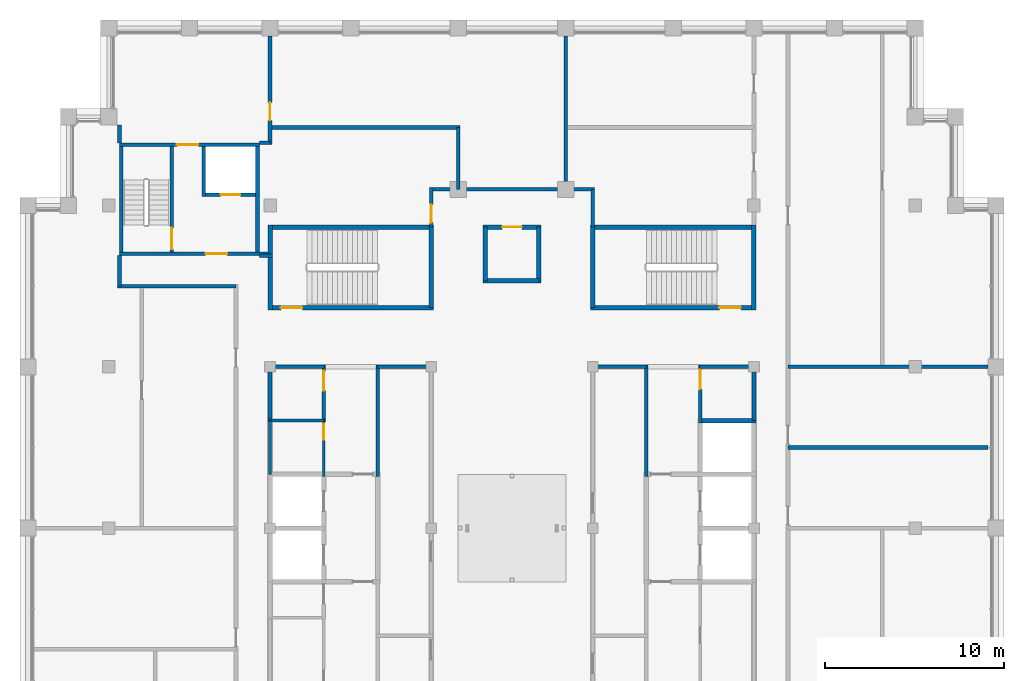
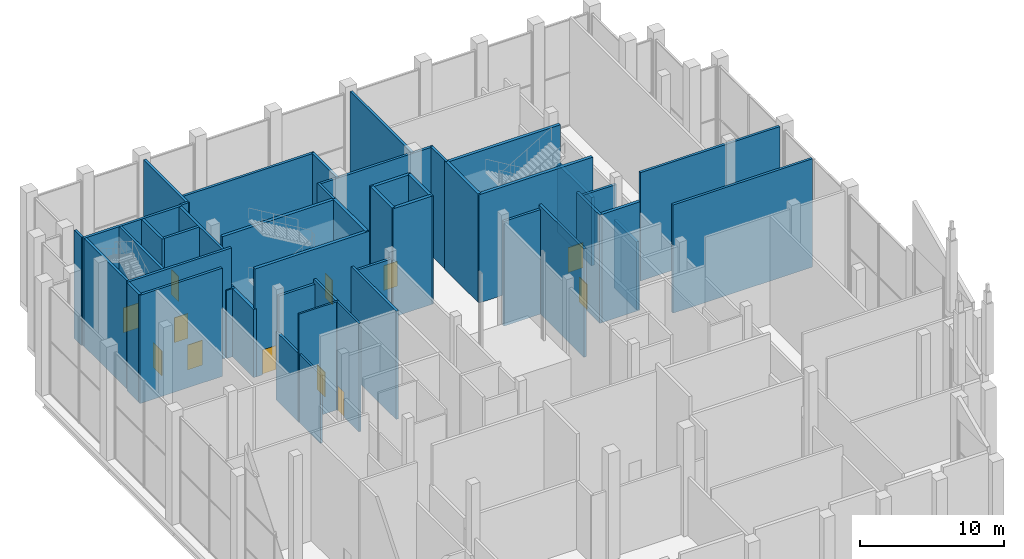
# One storey, part 14 of 16: 47 walls, 12 doors, 12 openings.
"""IFC4 building model written with IfcOpenShell, lengths in metres."""

from ifc_helpers import new_model, si_unit, direction, frame, frame_2d, origin, place, context, subcontext, project, spatial, rectangle, extrude, material, layer, layer_set, type_object, element, fill, save


model = new_model("IFC4")

# Units and contexts
model_context = context("Model", 3, precision=1e-05, world=origin(), true_north=direction((0.0, 1.0)))
body_context = subcontext(model_context, "Body", "Model", "MODEL_VIEW")
ifc_project = project(units=[si_unit("LENGTHUNIT", "METRE"), si_unit("AREAUNIT", "SQUARE_METRE"), si_unit("VOLUMEUNIT", "CUBIC_METRE"), si_unit("PLANEANGLEUNIT", "RADIAN"), si_unit("MASSUNIT", "GRAM", prefix="KILO")], contexts=[model_context])

# Site, building, storey
site_placement = place(None, origin())
site = spatial("IfcSite", under=ifc_project, at=site_placement, CompositionType="ELEMENT")
building_placement = place(site_placement, origin())
building = spatial("IfcBuilding", under=site, at=building_placement, Name="Corbelhall Arena Tower", CompositionType="ELEMENT")
storey_placement = place(building_placement, frame((0.0, 0.0, 366.0)))
storey = spatial("IfcBuildingStorey", under=building, at=storey_placement, Name="L80", CompositionType="ELEMENT", Elevation=366.0)

# Walls
ifc_material_1 = material(Name="Gypsum board on steel stud, acoustic", Category="steel")
ifc_layer_1 = layer(ifc_material_1, 0.199951171875)
ifc_layer_set_1 = layer_set([ifc_layer_1], Name="IN-W-DM200")
wall_type_1 = type_object("IfcWallType", Name="IN-W-DM200", PredefinedType="PARTITIONING", material=ifc_layer_set_1)
wall_1_placement = place(storey_placement, frame((-21.89990234375, 13.5, 0.0), z_axis=(0.0, 0.0, 1.0), x_axis=(0.0, 1.0, 0.0)))
element("IfcWall", 1, at=wall_1_placement, inside=storey, type_object=wall_type_1, Name="Partition 003", PredefinedType="PARTITIONING", context=body_context, shape_type="SweptSolid", body=[
    extrude(rectangle(XDim=1.699951171875, YDim=0.199951171875, at=frame_2d((0.85009765625, 0.0))), origin(), (0.0, 0.0, 1.0), 9.149658203125),
])
wall_2_placement = place(storey_placement, frame((-21.89990234375, 21.5, 0.0), z_axis=(0.0, 0.0, 1.0), x_axis=(0.0, 1.0, 0.0)))
element("IfcWall", 2, at=wall_2_placement, inside=storey, type_object=wall_type_1, Name="Partition 004", PredefinedType="PARTITIONING", context=body_context, shape_type="SweptSolid", body=[
    extrude(rectangle(XDim=1.0, YDim=0.199951171875, at=frame_2d((0.5, 0.0))), origin(), (0.0, 0.0, 1.0), 9.149658203125),
])
wall_3_placement = place(storey_placement, frame((-15.39990234375, 13.5, 0.0), z_axis=(0.0, 0.0, 1.0), x_axis=(-1.0, 0.0, 0.0)))
element("IfcWall", 3, at=wall_3_placement, inside=storey, type_object=wall_type_1, Name="Partition 007", PredefinedType="PARTITIONING", context=body_context, shape_type="SweptSolid", body=[
    extrude(rectangle(XDim=6.60009765625, YDim=0.199951171875, at=frame_2d((3.300048828125, 0.0))), origin(), (0.0, 0.0, 1.0), 9.149658203125),
])
wall_4_placement = place(storey_placement, frame((-14.10009765625, 15.199951171875, 0.0), z_axis=(0.0, 0.0, 1.0), x_axis=(1.0, 0.0, 0.0)))
element("IfcWall", 4, at=wall_4_placement, inside=storey, type_object=wall_type_1, Name="Partition 011", PredefinedType="PARTITIONING", context=body_context, shape_type="SweptSolid", body=[
    extrude(rectangle(XDim=0.72509765625, YDim=0.199951171875, at=frame_2d((0.362548828125, 0.0))), origin(), (0.0, 0.0, 1.0), 5.759765625),
])
wall_5_placement = place(storey_placement, frame((-13.5, 21.5, 0.0), z_axis=(0.0, 0.0, 1.0), x_axis=(-1.0, 0.0, 0.0)))
element("IfcWall", 5, at=wall_5_placement, inside=storey, type_object=wall_type_1, Name="Partition 013", PredefinedType="PARTITIONING", context=body_context, shape_type="SweptSolid", body=[
    extrude(rectangle(XDim=0.60009765625, YDim=0.199951171875, at=frame_2d((0.300048828125, 0.0))), origin(), (0.0, 0.0, 1.0), 9.149658203125),
])
wall_6_placement = place(storey_placement, frame((-13.5, 22.35009765625, 0.0), z_axis=(0.0, 0.0, 1.0), x_axis=(1.0, 0.0, 0.0)))
element("IfcWall", 6, at=wall_6_placement, inside=storey, type_object=wall_type_1, Name="Partition 014", PredefinedType="PARTITIONING", context=body_context, shape_type="SweptSolid", body=[
    extrude(rectangle(XDim=10.60009765625, YDim=0.199951171875, at=frame_2d((5.300048828125, 0.0))), origin(), (0.0, 0.0, 1.0), 9.149658203125),
])

# Wall, opening, door
wall_7_placement = place(storey_placement, frame((-13.5, 27.449951171875, 0.0), z_axis=(0.0, 0.0, 1.0), x_axis=(0.0, -1.0, 0.0)))
wall_7 = element("IfcWall", 7, at=wall_7_placement, inside=storey, type_object=wall_type_1, Name="Partition 015", PredefinedType="PARTITIONING", context=body_context, shape_type="SweptSolid", body=[
    extrude(rectangle(XDim=6.050048828125, YDim=0.199951171875, at=frame_2d((3.02490234375, 0.0))), origin(), (0.0, 0.0, 1.0), 9.149658203125),
])
opening_1_placement = place(wall_7_placement, frame((3.699951171875, 0.0, 0.0)))
opening_1 = element("IfcOpeningElement", 8, at=opening_1_placement, cuts=wall_7, Name="Opening 34021", PredefinedType="OPENING", context=body_context, shape_type="SweptSolid", body=[
    extrude(rectangle(XDim=1.0, YDim=2.10009765625, at=frame_2d((0.5, 1.050048828125))), frame((0.0, 0.10009765625, 0.0), z_axis=(0.0, -1.0, 0.0), x_axis=(1.0, 0.0, 0.0)), (0.0, 0.0, 1.0), 0.199951171875),
])
ifc_material_2 = material(Name="Steel door set", Category="steel")
door_type_1 = type_object("IfcDoorType", Name="IN-D-SW100", OperationType="NOTDEFINED", PredefinedType="DOOR", material=ifc_material_2)
door_1_placement = place(opening_1_placement, origin())
door_1 = element("IfcDoor", 9, at=door_1_placement, inside=storey, type_object=door_type_1, Name="Door 021", OperationType="SINGLE_SWING_RIGHT", OverallHeight=2.10009765625, OverallWidth=1.0, PredefinedType="DOOR", context=body_context, shape_type="SweptSolid", body=[
    extrude(rectangle(XDim=1.0, YDim=2.10009765625, at=frame_2d((0.5, 1.050048828125))), frame((0.0, 0.02490234375, 0.0), z_axis=(0.0, -1.0, 0.0), x_axis=(1.0, 0.0, 0.0)), (0.0, 0.0, 1.0), 0.050048828125),
])
fill(opening_1, door_1)

wall_8_placement = place(storey_placement, frame((-4.5, 16.800048828125, 0.0), z_axis=(0.0, 0.0, 1.0), x_axis=(0.0, 1.0, 0.0)))
wall_8 = element("IfcWall", 10, at=wall_8_placement, inside=storey, type_object=wall_type_1, Name="Partition 017", PredefinedType="PARTITIONING", context=body_context, shape_type="SweptSolid", body=[
    extrude(rectangle(XDim=2.199951171875, YDim=0.199951171875, at=frame_2d((1.10009765625, 0.0))), origin(), (0.0, 0.0, 1.0), 9.149658203125),
])
opening_2_placement = place(wall_8_placement, frame((0.25, 0.0, 0.0)))
opening_2 = element("IfcOpeningElement", 11, at=opening_2_placement, cuts=wall_8, Name="Opening 34020", PredefinedType="OPENING", context=body_context, shape_type="SweptSolid", body=[
    extrude(rectangle(XDim=1.0, YDim=2.10009765625, at=frame_2d((0.5, 1.050048828125))), frame((0.0, 0.10009765625, 0.0), z_axis=(0.0, -1.0, 0.0), x_axis=(1.0, 0.0, 0.0)), (0.0, 0.0, 1.0), 0.199951171875),
])
door_2_placement = place(opening_2_placement, origin())
door_2 = element("IfcDoor", 12, at=door_2_placement, inside=storey, type_object=door_type_1, Name="Door 020", OperationType="SINGLE_SWING_LEFT", OverallHeight=2.10009765625, OverallWidth=1.0, PredefinedType="DOOR", context=body_context, shape_type="SweptSolid", body=[
    extrude(rectangle(XDim=1.0, YDim=2.10009765625, at=frame_2d((0.5, 1.050048828125))), frame((0.0, 0.02490234375, 0.0), z_axis=(0.0, -1.0, 0.0), x_axis=(1.0, 0.0, 0.0)), (0.0, 0.0, 1.0), 0.050048828125),
])
fill(opening_2, door_2)

# Walls
wall_9_placement = place(storey_placement, frame((-4.5, 18.89990234375, 0.0), z_axis=(0.0, 0.0, 1.0), x_axis=(1.0, 0.0, 0.0)))
element("IfcWall", 13, at=wall_9_placement, inside=storey, type_object=wall_type_1, Name="Partition 018", PredefinedType="PARTITIONING", context=body_context, shape_type="SweptSolid", body=[
    extrude(rectangle(XDim=9.10009765625, YDim=0.199951171875, at=frame_2d((4.550048828125, 0.0))), origin(), (0.0, 0.0, 1.0), 9.149658203125),
])
wall_10_placement = place(storey_placement, frame((-3.0, 22.35009765625, 0.0), z_axis=(0.0, 0.0, 1.0), x_axis=(0.0, -1.0, 0.0)))
element("IfcWall", 14, at=wall_10_placement, inside=storey, type_object=wall_type_1, Name="Partition 020", PredefinedType="PARTITIONING", context=body_context, shape_type="SweptSolid", body=[
    extrude(rectangle(XDim=3.4501953125, YDim=0.199951171875, at=frame_2d((1.72509765625, 0.0))), origin(), (0.0, 0.0, 1.0), 9.149658203125),
])
wall_11_placement = place(storey_placement, frame((3.0, 27.449951171875, 0.0), z_axis=(0.0, 0.0, 1.0), x_axis=(0.0, -1.0, 0.0)))
element("IfcWall", 15, at=wall_11_placement, inside=storey, type_object=wall_type_1, Name="Partition 024", PredefinedType="PARTITIONING", context=body_context, shape_type="SweptSolid", body=[
    extrude(rectangle(XDim=8.550048828125, YDim=0.199951171875, at=frame_2d((4.27490234375, 0.0))), origin(), (0.0, 0.0, 1.0), 9.149658203125),
])
wall_12_placement = place(storey_placement, frame((4.5, 18.89990234375, 0.0), z_axis=(0.0, 0.0, 1.0), x_axis=(0.0, -1.0, 0.0)))
element("IfcWall", 16, at=wall_12_placement, inside=storey, type_object=wall_type_1, Name="Partition 026", PredefinedType="PARTITIONING", context=body_context, shape_type="SweptSolid", body=[
    extrude(rectangle(XDim=2.099853515625, YDim=0.199951171875, at=frame_2d((1.0498046875, 0.0))), origin(), (0.0, 0.0, 1.0), 9.149658203125),
])
for number, where, z_axis, x_axis, name in (
    (17, (15.39990234375, 4.5, 0.0), (0.0, 0.0, 1.0), (1.0, 0.0, 0.0), "Partition 034"),
    (18, (15.39990234375, 9.0, 0.0), (0.0, 0.0, 1.0), (1.0, 0.0, 0.0), "Partition 035"),
):
    element("IfcWall", number, at=place(storey_placement, frame(where, z_axis=z_axis, x_axis=x_axis)), inside=storey, type_object=wall_type_1, Name=name, PredefinedType="PARTITIONING", context=body_context, shape_type="SweptSolid", body=[
        extrude(rectangle(XDim=11.150146484375, YDim=0.199951171875, at=frame_2d((5.5751953125, 0.0))), origin(), (0.0, 0.0, 1.0), 9.149658203125),
    ])

# Wall, opening, door
ifc_material_3 = material(Name="Concrete C40/50", Category="concrete")
ifc_layer_2 = layer(ifc_material_3, 0.199951171875)
ifc_layer_set_2 = layer_set([ifc_layer_2], Name="IN-W-EAR200")
wall_type_2 = type_object("IfcWallType", Name="IN-W-EAR200", PredefinedType="SOLIDWALL", material=ifc_layer_set_2)
wall_13_placement = place(storey_placement, frame((-21.89990234375, 15.300048828125, 0.0), z_axis=(0.0, 0.0, 1.0), x_axis=(1.0, 0.0, 0.0)))
wall_13 = element("IfcWall", 19, at=wall_13_placement, inside=storey, type_object=wall_type_2, Name="Fire service turret wall south", PredefinedType="SOLIDWALL", context=body_context, shape_type="SweptSolid", body=[
    extrude(rectangle(XDim=8.27490234375, YDim=0.199951171875, at=frame_2d((4.137451171875, 0.0))), origin(), (0.0, 0.0, 1.0), 9.149658203125),
])
opening_3_placement = place(wall_13_placement, frame((4.800048828125, 0.0, 0.0)))
opening_3 = element("IfcOpeningElement", 20, at=opening_3_placement, cuts=wall_13, Name="Opening E342", PredefinedType="OPENING", context=body_context, shape_type="SweptSolid", body=[
    extrude(rectangle(XDim=1.199951171875, YDim=2.10009765625, at=frame_2d((0.60009765625, 1.050048828125))), frame((0.0, 0.10009765625, 0.0), z_axis=(0.0, -1.0, 0.0), x_axis=(1.0, 0.0, 0.0)), (0.0, 0.0, 1.0), 0.199951171875),
])
door_type_2 = type_object("IfcDoorType", Name="IN-D-ST120", OperationType="NOTDEFINED", PredefinedType="DOOR", material=ifc_material_2)
door_3_placement = place(opening_3_placement, origin())
door_3 = element("IfcDoor", 21, at=door_3_placement, inside=storey, type_object=door_type_2, Name="Door from fire service lift lobby to circulation", OperationType="SINGLE_SWING_RIGHT", OverallHeight=2.10009765625, OverallWidth=1.199951171875, PredefinedType="DOOR", context=body_context, shape_type="SweptSolid", body=[
    extrude(rectangle(XDim=1.199951171875, YDim=2.10009765625, at=frame_2d((0.60009765625, 1.050048828125))), frame((0.0, 0.02490234375, 0.0), z_axis=(0.0, -1.0, 0.0), x_axis=(1.0, 0.0, 0.0)), (0.0, 0.0, 1.0), 0.050048828125),
])
fill(opening_3, door_3)

wall_14_placement = place(storey_placement, frame((-21.89990234375, 21.39990234375, 0.0), z_axis=(0.0, 0.0, 1.0), x_axis=(1.0, 0.0, 0.0)))
wall_14 = element("IfcWall", 22, at=wall_14_placement, inside=storey, type_object=wall_type_2, Name="Fire service turret wall north", PredefinedType="SOLIDWALL", context=body_context, shape_type="SweptSolid", body=[
    extrude(rectangle(XDim=7.7998046875, YDim=0.199951171875, at=frame_2d((3.89990234375, 0.0))), origin(), (0.0, 0.0, 1.0), 9.149658203125),
])
opening_4_placement = place(wall_14_placement, frame((3.199951171875, 0.0, 0.0)))
opening_4 = element("IfcOpeningElement", 23, at=opening_4_placement, cuts=wall_14, Name="Opening E343", PredefinedType="OPENING", context=body_context, shape_type="SweptSolid", body=[
    extrude(rectangle(XDim=1.199951171875, YDim=2.10009765625, at=frame_2d((0.60009765625, 1.050048828125))), frame((0.0, 0.10009765625, 0.0), z_axis=(0.0, -1.0, 0.0), x_axis=(1.0, 0.0, 0.0)), (0.0, 0.0, 1.0), 0.199951171875),
])
door_4_placement = place(opening_4_placement, origin())
door_4 = element("IfcDoor", 24, at=door_4_placement, inside=storey, type_object=door_type_2, Name="Door from fire service lift lobby to the north gallery", OperationType="SINGLE_SWING_LEFT", OverallHeight=2.10009765625, OverallWidth=1.199951171875, PredefinedType="DOOR", context=body_context, shape_type="SweptSolid", body=[
    extrude(rectangle(XDim=1.199951171875, YDim=2.10009765625, at=frame_2d((0.60009765625, 1.050048828125))), frame((0.0, 0.02490234375, 0.0), z_axis=(0.0, -1.0, 0.0), x_axis=(1.0, 0.0, 0.0)), (0.0, 0.0, 1.0), 0.050048828125),
])
fill(opening_4, door_4)

# Walls
for number, where, z_axis, x_axis, name in (
    (25, (-21.800048828125, 15.39990234375, 0.0), (0.0, 0.0, 1.0), (0.0, 1.0, 0.0), "Fire service turret wall west"),
    (26, (-14.199951171875, 15.39990234375, 0.0), (0.0, 0.0, 1.0), (0.0, 1.0, 0.0), "Fire service turret wall east"),
):
    element("IfcWall", number, at=place(storey_placement, frame(where, z_axis=z_axis, x_axis=x_axis)), inside=storey, type_object=wall_type_2, Name=name, PredefinedType="SOLIDWALL", context=body_context, shape_type="SweptSolid", body=[
        extrude(rectangle(XDim=5.900146484375, YDim=0.199951171875, at=frame_2d((2.9501953125, 0.0))), origin(), (0.0, 0.0, 1.0), 9.149658203125),
    ])

# Wall, opening, door
wall_15_placement = place(storey_placement, frame((-18.989990234375, 15.39990234375, 0.0), z_axis=(0.0, 0.0, 1.0), x_axis=(0.0, 1.0, 0.0)))
wall_15 = element("IfcWall", 27, at=wall_15_placement, inside=storey, type_object=wall_type_2, Name="Fire service turret wall stair", PredefinedType="SOLIDWALL", context=body_context, shape_type="SweptSolid", body=[
    extrude(rectangle(XDim=5.900146484375, YDim=0.199951171875, at=frame_2d((2.9501953125, 0.0))), origin(), (0.0, 0.0, 1.0), 9.149658203125),
])
opening_5_placement = place(wall_15_placement, frame((0.14990234375, 0.0, 0.0)))
opening_5 = element("IfcOpeningElement", 28, at=opening_5_placement, cuts=wall_15, Name="Opening E341", PredefinedType="OPENING", context=body_context, shape_type="SweptSolid", body=[
    extrude(rectangle(XDim=1.199951171875, YDim=2.10009765625, at=frame_2d((0.60009765625, 1.050048828125))), frame((0.0, 0.10009765625, 0.0), z_axis=(0.0, -1.0, 0.0), x_axis=(1.0, 0.0, 0.0)), (0.0, 0.0, 1.0), 0.199951171875),
])
door_5_placement = place(opening_5_placement, origin())
door_5 = element("IfcDoor", 29, at=door_5_placement, inside=storey, type_object=door_type_2, Name="Stair door to fire service lobby", OperationType="SINGLE_SWING_LEFT", OverallHeight=2.10009765625, OverallWidth=1.199951171875, PredefinedType="DOOR", context=body_context, shape_type="SweptSolid", body=[
    extrude(rectangle(XDim=1.199951171875, YDim=2.10009765625, at=frame_2d((0.60009765625, 1.050048828125))), frame((0.0, 0.02490234375, 0.0), z_axis=(0.0, -1.0, 0.0), x_axis=(1.0, 0.0, 0.0)), (0.0, 0.0, 1.0), 0.050048828125),
])
fill(opening_5, door_5)

# Wall
wall_16_placement = place(storey_placement, frame((-17.199951171875, 18.5, 0.0), z_axis=(0.0, 0.0, 1.0), x_axis=(0.0, 1.0, 0.0)))
element("IfcWall", 30, at=wall_16_placement, inside=storey, type_object=wall_type_2, Name="Fire service turret wall hoistway west", PredefinedType="SOLIDWALL", context=body_context, shape_type="SweptSolid", body=[
    extrude(rectangle(XDim=2.800048828125, YDim=0.199951171875, at=frame_2d((1.39990234375, 0.0))), origin(), (0.0, 0.0, 1.0), 9.149658203125),
])

# Wall, opening, door
wall_17_placement = place(storey_placement, frame((-17.10009765625, 18.60009765625, 0.0), z_axis=(0.0, 0.0, 1.0), x_axis=(1.0, 0.0, 0.0)))
wall_17 = element("IfcWall", 31, at=wall_17_placement, inside=storey, type_object=wall_type_2, Name="Fire service turret wall hoistway south", PredefinedType="SOLIDWALL", context=body_context, shape_type="SweptSolid", body=[
    extrude(rectangle(XDim=2.800048828125, YDim=0.199951171875, at=frame_2d((1.39990234375, 0.0))), origin(), (0.0, 0.0, 1.0), 9.149658203125),
])
opening_6_placement = place(wall_17_placement, frame((0.85009765625, 0.0, 0.0)))
opening_6 = element("IfcOpeningElement", 32, at=opening_6_placement, cuts=wall_17, Name="Opening LD", PredefinedType="OPENING", context=body_context, shape_type="SweptSolid", body=[
    extrude(rectangle(XDim=1.10009765625, YDim=2.10009765625, at=frame_2d((0.550048828125, 1.050048828125))), frame((0.0, 0.10009765625, 0.0), z_axis=(0.0, -1.0, 0.0), x_axis=(1.0, 0.0, 0.0)), (0.0, 0.0, 1.0), 0.199951171875),
])
door_type_3 = type_object("IfcDoorType", Name="IN-D-LD110", OperationType="NOTDEFINED", PredefinedType="DOOR", material=ifc_material_2)
door_6_placement = place(opening_6_placement, origin())
door_6 = element("IfcDoor", 33, at=door_6_placement, inside=storey, type_object=door_type_3, Name="Landing door FS1", OperationType="SLIDING_TO_LEFT", OverallHeight=2.10009765625, OverallWidth=1.10009765625, PredefinedType="DOOR", context=body_context, shape_type="SweptSolid", body=[
    extrude(rectangle(XDim=1.10009765625, YDim=2.10009765625, at=frame_2d((0.550048828125, 1.050048828125))), frame((0.0, 0.02490234375, 0.0), z_axis=(0.0, -1.0, 0.0), x_axis=(1.0, 0.0, 0.0)), (0.0, 0.0, 1.0), 0.050048828125),
])
fill(opening_6, door_6)

# Wall
ifc_material_4 = material(Name="Concrete block wall", Category="concrete")
ifc_layer_3 = layer(ifc_material_4, 0.199951171875)
ifc_layer_set_3 = layer_set([ifc_layer_3], Name="IN-W-RS200")
wall_type_3 = type_object("IfcWallType", Name="IN-W-RS200", PredefinedType="SOLIDWALL", material=ifc_layer_set_3)
wall_18_placement = place(storey_placement, frame((-13.5, 6.0, 0.0), z_axis=(0.0, 0.0, 1.0), x_axis=(0.0, 1.0, 0.0)))
element("IfcWall", 34, at=wall_18_placement, inside=storey, type_object=wall_type_3, Name="Partition 040", PredefinedType="SOLIDWALL", context=body_context, shape_type="SweptSolid", body=[
    extrude(rectangle(XDim=3.10009765625, YDim=0.199951171875, at=frame_2d((1.550048828125, 0.0))), origin(), (0.0, 0.0, 1.0), 5.759765625),
])

# Wall, opening, door
wall_19_placement = place(storey_placement, frame((-10.5, 5.925048828125, 0.0), z_axis=(0.0, 0.0, 1.0), x_axis=(0.0, 1.0, 0.0)))
wall_19 = element("IfcWall", 35, at=wall_19_placement, inside=storey, type_object=wall_type_3, Name="Partition 043", PredefinedType="SOLIDWALL", context=body_context, shape_type="SweptSolid", body=[
    extrude(rectangle(XDim=3.175048828125, YDim=0.199951171875, at=frame_2d((1.58740234375, 0.0))), origin(), (0.0, 0.0, 1.0), 9.149658203125),
])
opening_7_placement = place(wall_19_placement, frame((1.75, 0.0, 0.0)))
opening_7 = element("IfcOpeningElement", 36, at=opening_7_placement, cuts=wall_19, Name="Opening 34008", PredefinedType="OPENING", context=body_context, shape_type="SweptSolid", body=[
    extrude(rectangle(XDim=1.10009765625, YDim=2.10009765625, at=frame_2d((0.550048828125, 1.050048828125))), frame((0.0, 0.10009765625, 0.0), z_axis=(0.0, -1.0, 0.0), x_axis=(1.0, 0.0, 0.0)), (0.0, 0.0, 1.0), 0.199951171875),
])
door_type_4 = type_object("IfcDoorType", Name="IN-D-FD110", OperationType="NOTDEFINED", PredefinedType="DOOR", material=ifc_material_2)
door_7_placement = place(opening_7_placement, origin())
door_7 = element("IfcDoor", 37, at=door_7_placement, inside=storey, type_object=door_type_4, Name="Door 008", OperationType="SINGLE_SWING_LEFT", OverallHeight=2.10009765625, OverallWidth=1.10009765625, PredefinedType="DOOR", context=body_context, shape_type="SweptSolid", body=[
    extrude(rectangle(XDim=1.10009765625, YDim=2.10009765625, at=frame_2d((0.550048828125, 1.050048828125))), frame((0.0, 0.02490234375, 0.0), z_axis=(0.0, -1.0, 0.0), x_axis=(1.0, 0.0, 0.0)), (0.0, 0.0, 1.0), 0.050048828125),
])
fill(opening_7, door_7)

# Walls
for number, where, z_axis, x_axis, name in (
    (38, (-7.5, 2.875, 0.0), (0.0, 0.0, 1.0), (0.0, 1.0, 0.0), "Partition 046"),
    (39, (7.5, 9.10009765625, 0.0), (0.0, 0.0, 1.0), (0.0, -1.0, 0.0), "Partition 055"),
):
    element("IfcWall", number, at=place(storey_placement, frame(where, z_axis=z_axis, x_axis=x_axis)), inside=storey, type_object=wall_type_3, Name=name, PredefinedType="SOLIDWALL", context=body_context, shape_type="SweptSolid", body=[
        extrude(rectangle(XDim=6.22509765625, YDim=0.199951171875, at=frame_2d((3.112548828125, 0.0))), origin(), (0.0, 0.0, 1.0), 9.149658203125),
    ])

# Wall, opening, door
wall_20_placement = place(storey_placement, frame((10.5, 9.10009765625, 0.0), z_axis=(0.0, 0.0, 1.0), x_axis=(0.0, -1.0, 0.0)))
wall_20 = element("IfcWall", 40, at=wall_20_placement, inside=storey, type_object=wall_type_3, Name="Partition 057", PredefinedType="SOLIDWALL", context=body_context, shape_type="SweptSolid", body=[
    extrude(rectangle(XDim=3.22509765625, YDim=0.199951171875, at=frame_2d((1.612548828125, 0.0))), origin(), (0.0, 0.0, 1.0), 9.149658203125),
])
opening_8_placement = place(wall_20_placement, frame((0.25, 0.0, 0.0)))
opening_8 = element("IfcOpeningElement", 41, at=opening_8_placement, cuts=wall_20, Name="Opening 34014", PredefinedType="OPENING", context=body_context, shape_type="SweptSolid", body=[
    extrude(rectangle(XDim=1.10009765625, YDim=2.10009765625, at=frame_2d((0.550048828125, 1.050048828125))), frame((0.0, 0.10009765625, 0.0), z_axis=(0.0, -1.0, 0.0), x_axis=(1.0, 0.0, 0.0)), (0.0, 0.0, 1.0), 0.199951171875),
])
door_8_placement = place(opening_8_placement, origin())
door_8 = element("IfcDoor", 42, at=door_8_placement, inside=storey, type_object=door_type_4, Name="Door 014", OperationType="SINGLE_SWING_LEFT", OverallHeight=2.10009765625, OverallWidth=1.10009765625, PredefinedType="DOOR", context=body_context, shape_type="SweptSolid", body=[
    extrude(rectangle(XDim=1.10009765625, YDim=2.10009765625, at=frame_2d((0.550048828125, 1.050048828125))), frame((0.0, 0.02490234375, 0.0), z_axis=(0.0, -1.0, 0.0), x_axis=(1.0, 0.0, 0.0)), (0.0, 0.0, 1.0), 0.050048828125),
])
fill(opening_8, door_8)

# Walls
wall_21_placement = place(storey_placement, frame((13.5, 9.10009765625, 0.0), z_axis=(0.0, 0.0, 1.0), x_axis=(0.0, -1.0, 0.0)))
element("IfcWall", 43, at=wall_21_placement, inside=storey, type_object=wall_type_3, Name="Partition 058", PredefinedType="SOLIDWALL", context=body_context, shape_type="SweptSolid", body=[
    extrude(rectangle(XDim=3.10009765625, YDim=0.199951171875, at=frame_2d((1.550048828125, 0.0))), origin(), (0.0, 0.0, 1.0), 5.759765625),
])
ifc_layer_4 = layer(ifc_material_4, 0.199951171875)
ifc_layer_set_4 = layer_set([ifc_layer_4], Name="IN-W-RS200 under beam 312 mm")
wall_type_4 = type_object("IfcWallType", Name="IN-W-RS200 under beam 312 mm", PredefinedType="SOLIDWALL", material=ifc_layer_set_4)
for number, where, z_axis, x_axis, name in (
    (44, (-13.5, 9.0, 0.0), (0.0, 0.0, 1.0), (1.0, 0.0, 0.0), "Partition 041"),
    (45, (-7.5, 9.0, 0.0), (0.0, 0.0, 1.0), (1.0, 0.0, 0.0), "Partition 047"),
    (46, (4.5, 9.0, 0.0), (0.0, 0.0, 1.0), (1.0, 0.0, 0.0), "Partition 052"),
    (47, (10.5, 9.0, 0.0), (0.0, 0.0, 1.0), (1.0, 0.0, 0.0), "Partition 056"),
):
    element("IfcWall", number, at=place(storey_placement, frame(where, z_axis=z_axis, x_axis=x_axis)), inside=storey, type_object=wall_type_4, Name=name, PredefinedType="SOLIDWALL", context=body_context, shape_type="SweptSolid", body=[
        extrude(rectangle(XDim=3.0, YDim=0.199951171875, at=frame_2d((1.5, 0.0))), origin(), (0.0, 0.0, 1.0), 8.837646484375),
    ])

# Wall, opening, door
ifc_layer_5 = layer(ifc_material_3, 0.25)
ifc_layer_set_5 = layer_set([ifc_layer_5], Name="IN-W-SH250")
wall_type_5 = type_object("IfcWallType", Name="IN-W-SH250", PredefinedType="SOLIDWALL", material=ifc_layer_set_5)
wall_22_placement = place(storey_placement, frame((-1.625, 16.800048828125, 0.0), z_axis=(0.0, 0.0, 1.0), x_axis=(1.0, 0.0, 0.0)))
wall_22 = element("IfcWall", 48, at=wall_22_placement, inside=storey, type_object=wall_type_5, Name="Shaft wall 065", PredefinedType="SOLIDWALL", context=body_context, shape_type="SweptSolid", body=[
    extrude(rectangle(XDim=3.25, YDim=0.25, at=frame_2d((1.625, 0.0))), origin(), (0.0, 0.0, 1.0), 9.149658203125),
])
opening_9_placement = place(wall_22_placement, frame((1.074951171875, 0.0, 0.0)))
opening_9 = element("IfcOpeningElement", 49, at=opening_9_placement, cuts=wall_22, Name="Opening LD", PredefinedType="OPENING", context=body_context, shape_type="SweptSolid", body=[
    extrude(rectangle(XDim=1.10009765625, YDim=2.10009765625, at=frame_2d((0.550048828125, 1.050048828125))), frame((0.0, 0.125, 0.0), z_axis=(0.0, -1.0, 0.0), x_axis=(1.0, 0.0, 0.0)), (0.0, 0.0, 1.0), 0.25),
])
door_9_placement = place(opening_9_placement, origin())
door_9 = element("IfcDoor", 50, at=door_9_placement, inside=storey, type_object=door_type_3, Name="Landing door C1", OperationType="SLIDING_TO_LEFT", OverallHeight=2.10009765625, OverallWidth=1.10009765625, PredefinedType="DOOR", context=body_context, shape_type="SweptSolid", body=[
    extrude(rectangle(XDim=1.10009765625, YDim=2.10009765625, at=frame_2d((0.550048828125, 1.050048828125))), frame((0.0, 0.02490234375, 0.0), z_axis=(0.0, -1.0, 0.0), x_axis=(1.0, 0.0, 0.0)), (0.0, 0.0, 1.0), 0.050048828125),
])
fill(opening_9, door_9)

# Walls
wall_23_placement = place(storey_placement, frame((-1.5, 13.800048828125, 0.0), z_axis=(0.0, 0.0, 1.0), x_axis=(0.0, 1.0, 0.0)))
element("IfcWall", 51, at=wall_23_placement, inside=storey, type_object=wall_type_5, Name="Shaft wall 066", PredefinedType="SOLIDWALL", context=body_context, shape_type="SweptSolid", body=[
    extrude(rectangle(XDim=3.0, YDim=0.25, at=frame_2d((1.5, 0.0))), origin(), (0.0, 0.0, 1.0), 9.149658203125),
])
for number, where, z_axis, x_axis, name in (
    (52, (1.5, 13.800048828125, 0.0), (0.0, 0.0, 1.0), (-1.0, 0.0, 0.0), "Shaft wall 067"),
    (53, (1.5, 16.800048828125, 0.0), (0.0, 0.0, 1.0), (0.0, -1.0, 0.0), "Shaft wall 068"),
    (54, (10.5, 6.0, 0.0), (0.0, 0.0, 1.0), (1.0, 0.0, 0.0), "Shaft wall 074"),
):
    element("IfcWall", number, at=place(storey_placement, frame(where, z_axis=z_axis, x_axis=x_axis)), inside=storey, type_object=wall_type_5, Name=name, PredefinedType="SOLIDWALL", context=body_context, shape_type="SweptSolid", body=[
        extrude(rectangle(XDim=3.125, YDim=0.25, at=frame_2d((1.5625, 0.0))), origin(), (0.0, 0.0, 1.0), 9.149658203125),
    ])

# Wall, opening, door
ifc_layer_6 = layer(ifc_material_3, 0.25)
ifc_layer_set_6 = layer_set([ifc_layer_6], Name="IN-W-ST250")
wall_type_6 = type_object("IfcWallType", Name="IN-W-ST250", PredefinedType="SOLIDWALL", material=ifc_layer_set_6)
wall_24_placement = place(storey_placement, frame((-13.5, 12.300048828125, 0.0), z_axis=(0.0, 0.0, 1.0), x_axis=(1.0, 0.0, 0.0)))
wall_24 = element("IfcWall", 55, at=wall_24_placement, inside=storey, type_object=wall_type_6, Name="Shaft wall 077", PredefinedType="SOLIDWALL", context=body_context, shape_type="SweptSolid", body=[
    extrude(rectangle(XDim=9.125, YDim=0.25, at=frame_2d((4.5625, 0.0))), origin(), (0.0, 0.0, 1.0), 9.149658203125),
])
opening_10_placement = place(wall_24_placement, frame((0.60009765625, 0.0, 0.0)))
opening_10 = element("IfcOpeningElement", 56, at=opening_10_placement, cuts=wall_24, Name="Opening 34015", PredefinedType="OPENING", context=body_context, shape_type="SweptSolid", body=[
    extrude(rectangle(XDim=1.199951171875, YDim=2.10009765625, at=frame_2d((0.60009765625, 1.050048828125))), frame((0.0, 0.125, 0.0), z_axis=(0.0, -1.0, 0.0), x_axis=(1.0, 0.0, 0.0)), (0.0, 0.0, 1.0), 0.25),
])
door_10_placement = place(opening_10_placement, origin())
door_10 = element("IfcDoor", 57, at=door_10_placement, inside=storey, type_object=door_type_2, Name="Door 015", OperationType="SINGLE_SWING_RIGHT", OverallHeight=2.10009765625, OverallWidth=1.199951171875, PredefinedType="DOOR", context=body_context, shape_type="SweptSolid", body=[
    extrude(rectangle(XDim=1.199951171875, YDim=2.10009765625, at=frame_2d((0.60009765625, 1.050048828125))), frame((0.0, 0.02490234375, 0.0), z_axis=(0.0, -1.0, 0.0), x_axis=(1.0, 0.0, 0.0)), (0.0, 0.0, 1.0), 0.050048828125),
])
fill(opening_10, door_10)

# Walls
wall_25_placement = place(storey_placement, frame((-13.5, 12.175048828125, 0.0), z_axis=(0.0, 0.0, 1.0), x_axis=(0.0, 1.0, 0.0)))
element("IfcWall", 58, at=wall_25_placement, inside=storey, type_object=wall_type_6, Name="Shaft wall 078", PredefinedType="SOLIDWALL", context=body_context, shape_type="SweptSolid", body=[
    extrude(rectangle(XDim=4.75, YDim=0.25, at=frame_2d((2.375, 0.0))), origin(), (0.0, 0.0, 1.0), 5.759765625),
])
wall_26_placement = place(storey_placement, frame((-13.5, 16.800048828125, 0.0), z_axis=(0.0, 0.0, 1.0), x_axis=(1.0, 0.0, 0.0)))
element("IfcWall", 59, at=wall_26_placement, inside=storey, type_object=wall_type_6, Name="Shaft wall 079", PredefinedType="SOLIDWALL", context=body_context, shape_type="SweptSolid", body=[
    extrude(rectangle(XDim=9.10009765625, YDim=0.25, at=frame_2d((4.550048828125, 0.0))), origin(), (0.0, 0.0, 1.0), 9.149658203125),
])
wall_27_placement = place(storey_placement, frame((-4.5, 16.925048828125, 0.0), z_axis=(0.0, 0.0, 1.0), x_axis=(0.0, -1.0, 0.0)))
element("IfcWall", 60, at=wall_27_placement, inside=storey, type_object=wall_type_6, Name="Shaft wall 081", PredefinedType="SOLIDWALL", context=body_context, shape_type="SweptSolid", body=[
    extrude(rectangle(XDim=4.625, YDim=0.25, at=frame_2d((2.3125, 0.0))), origin(), (0.0, 0.0, 1.0), 9.149658203125),
])

# Wall, opening, door
wall_28_placement = place(storey_placement, frame((4.375, 12.300048828125, 0.0), z_axis=(0.0, 0.0, 1.0), x_axis=(1.0, 0.0, 0.0)))
wall_28 = element("IfcWall", 61, at=wall_28_placement, inside=storey, type_object=wall_type_6, Name="Shaft wall 084", PredefinedType="SOLIDWALL", context=body_context, shape_type="SweptSolid", body=[
    extrude(rectangle(XDim=9.125, YDim=0.25, at=frame_2d((4.5625, 0.0))), origin(), (0.0, 0.0, 1.0), 9.149658203125),
])
opening_11_placement = place(wall_28_placement, frame((7.199951171875, 0.0, 0.0)))
opening_11 = element("IfcOpeningElement", 62, at=opening_11_placement, cuts=wall_28, Name="Opening 34017", PredefinedType="OPENING", context=body_context, shape_type="SweptSolid", body=[
    extrude(rectangle(XDim=1.199951171875, YDim=2.10009765625, at=frame_2d((0.60009765625, 1.050048828125))), frame((0.0, 0.125, 0.0), z_axis=(0.0, -1.0, 0.0), x_axis=(1.0, 0.0, 0.0)), (0.0, 0.0, 1.0), 0.25),
])
door_11_placement = place(opening_11_placement, origin())
door_11 = element("IfcDoor", 63, at=door_11_placement, inside=storey, type_object=door_type_2, Name="Door 017", OperationType="SINGLE_SWING_RIGHT", OverallHeight=2.10009765625, OverallWidth=1.199951171875, PredefinedType="DOOR", context=body_context, shape_type="SweptSolid", body=[
    extrude(rectangle(XDim=1.199951171875, YDim=2.10009765625, at=frame_2d((0.60009765625, 1.050048828125))), frame((0.0, 0.02490234375, 0.0), z_axis=(0.0, -1.0, 0.0), x_axis=(1.0, 0.0, 0.0)), (0.0, 0.0, 1.0), 0.050048828125),
])
fill(opening_11, door_11)

# Walls
wall_29_placement = place(storey_placement, frame((4.39990234375, 16.800048828125, 0.0), z_axis=(0.0, 0.0, 1.0), x_axis=(1.0, 0.0, 0.0)))
element("IfcWall", 64, at=wall_29_placement, inside=storey, type_object=wall_type_6, Name="Shaft wall 085", PredefinedType="SOLIDWALL", context=body_context, shape_type="SweptSolid", body=[
    extrude(rectangle(XDim=9.10009765625, YDim=0.25, at=frame_2d((4.550048828125, 0.0))), origin(), (0.0, 0.0, 1.0), 9.149658203125),
])
wall_30_placement = place(storey_placement, frame((4.5, 12.300048828125, 0.0), z_axis=(0.0, 0.0, 1.0), x_axis=(0.0, 1.0, 0.0)))
element("IfcWall", 65, at=wall_30_placement, inside=storey, type_object=wall_type_6, Name="Shaft wall 087", PredefinedType="SOLIDWALL", context=body_context, shape_type="SweptSolid", body=[
    extrude(rectangle(XDim=4.625, YDim=0.25, at=frame_2d((2.3125, 0.0))), origin(), (0.0, 0.0, 1.0), 9.149658203125),
])
wall_31_placement = place(storey_placement, frame((13.5, 12.175048828125, 0.0), z_axis=(0.0, 0.0, 1.0), x_axis=(0.0, 1.0, 0.0)))
element("IfcWall", 66, at=wall_31_placement, inside=storey, type_object=wall_type_6, Name="Shaft wall 091", PredefinedType="SOLIDWALL", context=body_context, shape_type="SweptSolid", body=[
    extrude(rectangle(XDim=4.75, YDim=0.25, at=frame_2d((2.375, 0.0))), origin(), (0.0, 0.0, 1.0), 5.759765625),
])
ifc_material_5 = material(Name="Gypsum board on steel stud, moisture resistant", Category="steel")
ifc_layer_7 = layer(ifc_material_5, 0.14990234375)
ifc_layer_set_7 = layer_set([ifc_layer_7], Name="IN-W-WC150")
wall_type_7 = type_object("IfcWallType", Name="IN-W-WC150", PredefinedType="PARTITIONING", material=ifc_layer_set_7)
wall_32_placement = place(storey_placement, frame((-13.60009765625, 6.0, 0.0), z_axis=(0.0, 0.0, 1.0), x_axis=(1.0, 0.0, 0.0)))
element("IfcWall", 67, at=wall_32_placement, inside=storey, type_object=wall_type_7, Name="Partition 093", PredefinedType="PARTITIONING", context=body_context, shape_type="SweptSolid", body=[
    extrude(rectangle(XDim=3.10009765625, YDim=0.14990234375, at=frame_2d((1.550048828125, 0.0))), origin(), (0.0, 0.0, 1.0), 9.149658203125),
])
wall_33_placement = place(storey_placement, frame((-13.5, 3.0, 0.0), z_axis=(0.0, 0.0, 1.0), x_axis=(0.0, 1.0, 0.0)))
element("IfcWall", 68, at=wall_33_placement, inside=storey, type_object=wall_type_7, Name="Partition 095", PredefinedType="PARTITIONING", context=body_context, shape_type="SweptSolid", body=[
    extrude(rectangle(XDim=3.0, YDim=0.14990234375, at=frame_2d((1.5, 0.0))), origin(), (0.0, 0.0, 1.0), 5.759765625),
])

# Wall, opening, door
wall_34_placement = place(storey_placement, frame((-10.5, 2.875, 0.0), z_axis=(0.0, 0.0, 1.0), x_axis=(0.0, 1.0, 0.0)))
wall_34 = element("IfcWall", 69, at=wall_34_placement, inside=storey, type_object=wall_type_7, Name="Partition 098", PredefinedType="PARTITIONING", context=body_context, shape_type="SweptSolid", body=[
    extrude(rectangle(XDim=3.199951171875, YDim=0.14990234375, at=frame_2d((1.60009765625, 0.0))), origin(), (0.0, 0.0, 1.0), 9.149658203125),
])
opening_12_placement = place(wall_34_placement, frame((2.050048828125, 0.0, 0.0)))
opening_12 = element("IfcOpeningElement", 70, at=opening_12_placement, cuts=wall_34, Name="Opening 34007", PredefinedType="OPENING", context=body_context, shape_type="SweptSolid", body=[
    extrude(rectangle(XDim=0.89990234375, YDim=2.10009765625, at=frame_2d((0.449951171875, 1.050048828125))), frame((0.0, 0.074951171875, 0.0), z_axis=(0.0, -1.0, 0.0), x_axis=(1.0, 0.0, 0.0)), (0.0, 0.0, 1.0), 0.14990234375),
])
ifc_material_6 = material(Name="Timber door set", Category="wood")
door_type_5 = type_object("IfcDoorType", Name="IN-D-SW90", OperationType="NOTDEFINED", PredefinedType="DOOR", material=ifc_material_6)
door_12_placement = place(opening_12_placement, origin())
door_12 = element("IfcDoor", 71, at=door_12_placement, inside=storey, type_object=door_type_5, Name="Door 007", OperationType="SINGLE_SWING_RIGHT", OverallHeight=2.10009765625, OverallWidth=0.89990234375, PredefinedType="DOOR", context=body_context, shape_type="SweptSolid", body=[
    extrude(rectangle(XDim=0.89990234375, YDim=2.10009765625, at=frame_2d((0.449951171875, 1.050048828125))), frame((0.0, 0.02490234375, 0.0), z_axis=(0.0, -1.0, 0.0), x_axis=(1.0, 0.0, 0.0)), (0.0, 0.0, 1.0), 0.050048828125),
])
fill(opening_12, door_12)

save(model, "model.ifc")
